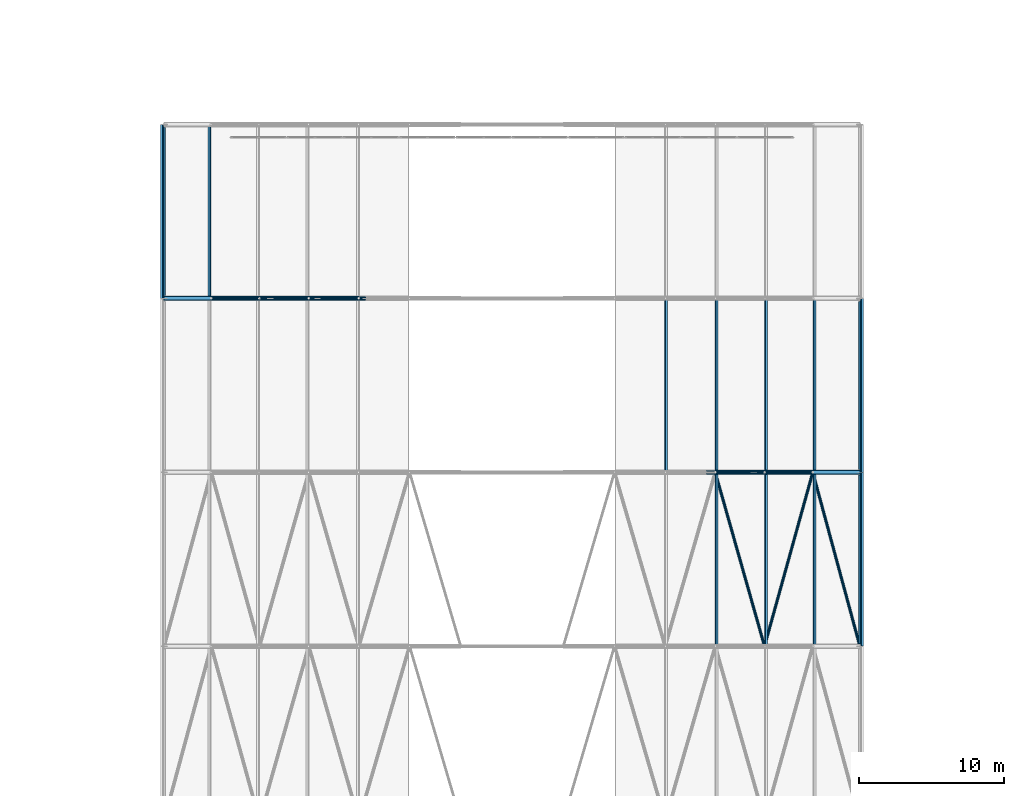
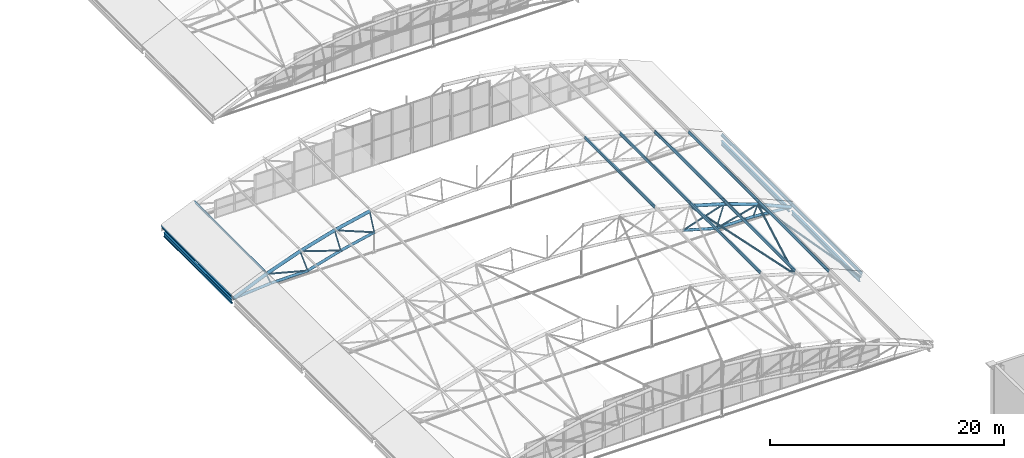
# One storey, part 132 of 321: 39 members, 3 beams.
"""IFC4 building model written with IfcOpenShell, lengths in metres."""

import ifcopenshell
import ifcopenshell.guid

model = None  # the IFC model being written
_history = None  # IfcOwnerHistory: only IFC2X3 demands one
_inside = {}  # id of a spatial element -> (the spatial element, [elements in it])
_under = {}  # id of a project, library or spatial element -> (it, [spatial elements below it])
_declared = {}  # id of a project -> (the project, [libraries it declares])
_typed = {}  # id of a type object -> (the type object, [elements of that type])
_made_of = {}  # id of a material, layer set ... -> (it, [elements and type objects made of it])


def new_model(schema):
    """Start an empty IFC model of exactly this schema.

    Asked for "IFC4X3", IfcOpenShell would pick the latest addendum, in which some entities
    have other attributes; the version numbers below select the first issue.
    IFC2X3 requires an IfcOwnerHistory on every rooted entity: one is made here for all.
    """
    global model, _history
    if schema == "IFC4X3":
        model = ifcopenshell.file(schema_version=(4, 3, 0, 0))
    else:
        model = ifcopenshell.file(schema=schema)
    _inside.clear()
    _under.clear()
    _declared.clear()
    _typed.clear()
    _made_of.clear()
    _history = None
    if model.schema == "IFC2X3":
        org = make("IfcOrganization", Name="unknown")
        user = make(
            "IfcPersonAndOrganization",
            ThePerson=make("IfcPerson", FamilyName="unknown"),
            TheOrganization=org,
        )
        app = make(
            "IfcApplication",
            ApplicationDeveloper=org,
            Version="unknown",
            ApplicationFullName="unknown",
            ApplicationIdentifier="unknown",
        )
        _history = make(
            "IfcOwnerHistory",
            OwningUser=user,
            OwningApplication=app,
            ChangeAction="ADDED",
            CreationDate=0,
        )
    return model


def make(cls, **values):
    """One entity of the class cls with the attributes given. An attribute that is None is left unset."""
    return model.create_entity(
        cls, **{name: value for name, value in values.items() if value is not None}
    )


def rooted(cls, **values):
    """An entity with a GlobalId (a new one), such as an element, a storey or a relation."""
    return make(cls, GlobalId=ifcopenshell.guid.new(), OwnerHistory=_history, **values)


def si_unit(unit_type, name, prefix=None):
    """IfcSIUnit, for example si_unit("LENGTHUNIT", "METRE", prefix="MILLI")."""
    return make("IfcSIUnit", UnitType=unit_type, Prefix=prefix, Name=name)


def assignment(units):
    """IfcUnitAssignment: the units of a project."""
    return None if units is None else make("IfcUnitAssignment", Units=units)


def point(xyz):
    """IfcCartesianPoint."""
    return None if xyz is None else make("IfcCartesianPoint", Coordinates=xyz)


def direction(xyz):
    """IfcDirection."""
    return None if xyz is None else make("IfcDirection", DirectionRatios=xyz)


def frame(location, z_axis=None, x_axis=None):
    """IfcAxis2Placement3D, a coordinate frame: its origin and axes. An axis left out is left unset."""
    return make(
        "IfcAxis2Placement3D",
        Location=point(location),
        Axis=direction(z_axis),
        RefDirection=direction(x_axis),
    )


def frame_2d(location, x_axis=None):
    """IfcAxis2Placement2D, a coordinate frame in the plane: its origin and x axis."""
    return make(
        "IfcAxis2Placement2D", Location=point(location), RefDirection=direction(x_axis)
    )


def origin():
    """The frame at (0, 0, 0) with its axes left unset."""
    return frame((0.0, 0.0, 0.0))


def origin_2d():
    """The frame at (0, 0) in the plane with its x axis left unset."""
    return frame_2d((0.0, 0.0))


def place(relative_to, where):
    """IfcLocalPlacement: puts the frame where relative to a parent placement (None: the world)."""
    return make(
        "IfcLocalPlacement", PlacementRelTo=relative_to, RelativePlacement=where
    )


def context(
    kind, dimensions, precision=None, world=None, true_north=None, identifier=None
):
    """IfcGeometricRepresentationContext, for example the 3D "Model" context."""
    return make(
        "IfcGeometricRepresentationContext",
        ContextIdentifier=identifier,
        ContextType=kind,
        CoordinateSpaceDimension=dimensions,
        Precision=precision,
        WorldCoordinateSystem=world,
        TrueNorth=true_north,
    )


def subcontext(parent, identifier, kind, view, scale=None):
    """IfcGeometricRepresentationSubContext, for example "Body" below "Model"."""
    return make(
        "IfcGeometricRepresentationSubContext",
        ContextIdentifier=identifier,
        ContextType=kind,
        ParentContext=parent,
        TargetScale=scale,
        TargetView=view,
    )


def project(units=None, contexts=None):
    """IfcProject with its units and contexts."""
    return rooted(
        "IfcProject",
        Name="project",
        RepresentationContexts=contexts,
        UnitsInContext=assignment(units),
    )


def spatial(cls, under=None, at=None, **own):
    """A site, building, storey or space (cls), placed at a placement, below another one or the project."""
    s = rooted(cls, ObjectPlacement=at, **own)
    if under is not None:
        _under.setdefault(under.id(), (under, []))[1].append(s)
    return s


def profile(cls, at=None, kind="AREA", **sizes):
    """A parametric profile (cls). Its sizes go by their IFC names, for example OverallWidth=200.0."""
    return make(cls, ProfileType=kind, Position=at, **sizes)


def hollow_circle(**sizes):
    """IfcCircleHollowProfileDef."""
    return profile("IfcCircleHollowProfileDef", **sizes)


def i_section(**sizes):
    """IfcIShapeProfileDef."""
    return profile("IfcIShapeProfileDef", **sizes)


def extrude(swept, where, along, depth):
    """IfcExtrudedAreaSolid: the profile swept, set in the frame where, extruded along a direction by depth."""
    return make(
        "IfcExtrudedAreaSolid",
        SweptArea=swept,
        Position=where,
        ExtrudedDirection=direction(along),
        Depth=depth,
    )


def shape(context_of_items, identifier, shape_type, items):
    """IfcShapeRepresentation: the items that make up one representation, for example the "Body"."""
    return make(
        "IfcShapeRepresentation",
        ContextOfItems=context_of_items,
        RepresentationIdentifier=identifier,
        RepresentationType=shape_type,
        Items=items,
    )


def material(Name=None, Category=None):
    """IfcMaterial."""
    return make("IfcMaterial", Name=Name, Category=Category)


def material_profile(
    of_material, cross_section, Name=None, Category=None, Priority=None
):
    """IfcMaterialProfile: a cross section and its material."""
    return make(
        "IfcMaterialProfile",
        Name=Name,
        Material=of_material,
        Profile=cross_section,
        Priority=Priority,
        Category=Category,
    )


def profile_set(profiles, Name=None, composite=None):
    """IfcMaterialProfileSet."""
    return make(
        "IfcMaterialProfileSet",
        Name=Name,
        MaterialProfiles=profiles,
        CompositeProfile=composite,
    )


def made_of(thing, what):
    """Note that an element or type object is made of a material, layer set ...; save() writes the relation."""
    if what is not None:
        _made_of.setdefault(what.id(), (what, []))[1].append(thing)
    return thing


def type_object(cls, material=None, **own):
    """A type object (cls), such as IfcWallType, which elements share."""
    return made_of(rooted(cls, **own), material)


def element(
    cls,
    number,
    at=None,
    inside=None,
    cuts=None,
    type_object=None,
    material=None,
    context=None,
    identifier="Body",
    shape_type=None,
    held_by="IfcProductDefinitionShape",
    body=None,
    shapes=None,
    **own,
):
    """One element of the class cls, such as IfcWall. Its Tag is "e" and its number.

    at: its placement. inside: the storey or other place that contains it. cuts: it is an
    opening in that element (IfcRelVoidsElement). A single representation is given by context,
    identifier, shape_type and body (its items); several are given by shapes. held_by: the class
    of the entity that holds the representations. save() writes the other relations.
    """
    e = rooted(cls, Tag="e%d" % number, ObjectPlacement=at, **own)
    if body is not None:
        shapes = [shape(context, identifier, shape_type, body)]
    if shapes is not None:
        e.Representation = make(held_by, Representations=shapes)
    if inside is not None:
        _inside.setdefault(inside.id(), (inside, []))[1].append(e)
    if cuts is not None:
        rooted(
            "IfcRelVoidsElement", RelatingBuildingElement=cuts, RelatedOpeningElement=e
        )
    if type_object is not None:
        _typed.setdefault(type_object.id(), (type_object, []))[1].append(e)
    return made_of(e, material)


def aggregate(whole, parts):
    """IfcRelAggregates: a whole, such as a stair, and the parts it consists of."""
    return rooted("IfcRelAggregates", RelatingObject=whole, RelatedObjects=parts)


def save(model, path):
    """Write the relations noted so far, then the file.

    IfcRelAggregates (storeys below a building ...), IfcRelContainedInSpatialStructure (elements
    in a storey), IfcRelDefinesByType, IfcRelAssociatesMaterial and IfcRelDeclares: one each for
    every whole, place, type object, material and project.
    """
    for whole, parts in _under.values():
        aggregate(whole, parts)
    for where, things in _inside.values():
        rooted(
            "IfcRelContainedInSpatialStructure",
            RelatedElements=things,
            RelatingStructure=where,
        )
    for kind, things in _typed.values():
        rooted("IfcRelDefinesByType", RelatedObjects=things, RelatingType=kind)
    for what, things in _made_of.values():
        rooted("IfcRelAssociatesMaterial", RelatedObjects=things, RelatingMaterial=what)
    for by, libraries in _declared.values():
        rooted("IfcRelDeclares", RelatingContext=by, RelatedDefinitions=libraries)
    model.write(path)


model = new_model("IFC4")

# Units and contexts
model_context = context("Model", 3, precision=1e-05, world=origin(), true_north=direction((0.0, 1.0)))
body_context = subcontext(model_context, "Body", "Model", "MODEL_VIEW")
ifc_project = project(units=[si_unit("LENGTHUNIT", "METRE"), si_unit("AREAUNIT", "SQUARE_METRE"), si_unit("VOLUMEUNIT", "CUBIC_METRE"), si_unit("PLANEANGLEUNIT", "RADIAN"), si_unit("MASSUNIT", "GRAM", prefix="KILO")], contexts=[model_context])

# Site, building, storey
site_placement = place(None, origin())
site = spatial("IfcSite", under=ifc_project, at=site_placement, CompositionType="ELEMENT")
building_placement = place(site_placement, origin())
building = spatial("IfcBuilding", under=site, at=building_placement, Name="Ravi Spectrum Wholesale Market", CompositionType="ELEMENT")
storey_placement = place(building_placement, frame((0.0, 0.0, 10.800048828125)))
storey = spatial("IfcBuildingStorey", under=building, at=storey_placement, Name="L02", CompositionType="ELEMENT", Elevation=10.800048828125)

# Members
ifc_material_1 = material(Name="Steel S355", Category="steel")
ifc_material_profile_1 = material_profile(ifc_material_1, hollow_circle(Radius=0.06982421875, WallThickness=0.0048828125, at=origin_2d()))
ifc_profile_set_1 = profile_set([ifc_material_profile_1], Name="Steel S355")
member_type_1 = type_object("IfcMemberType", Name="CHS 139.7x5 post", PredefinedType="POST", material=ifc_profile_set_1)
member_1_placement = place(storey_placement, frame((191.422119140625, 102.0, 2.62255859375), z_axis=(-0.310973905747, 0.0, -0.950418449918), x_axis=(0.0, -1.0, 0.0)))
element("IfcMember", 1, at=member_1_placement, inside=storey, type_object=member_type_1, Name="H2-MB-L02-152", PredefinedType="POST", context=body_context, shape_type="SweptSolid", body=[
    extrude(hollow_circle(Radius=0.06982421875, WallThickness=0.0048828125, at=origin_2d()), origin(), (0.0, 0.0, 1.0), 2.39990234375),
])
for number, where, z_axis, x_axis, name in (
    (2, (194.75244140625, 102.0, 1.415283203125), (-0.370337942638, 0.0, -0.928897092386), (0.0, -1.0, 0.0), "H2-MB-L02-153"),
    (3, (153.24755859375, 114.0, 1.415283203125), (0.370337942638, 0.0, -0.928897092386), (0.0, 1.0, 0.0), "H2-MB-L02-197"),
):
    element("IfcMember", number, at=place(storey_placement, frame(where, z_axis=z_axis, x_axis=x_axis)), inside=storey, type_object=member_type_1, Name=name, PredefinedType="POST", context=body_context, shape_type="SweptSolid", body=[
        extrude(hollow_circle(Radius=0.06982421875, WallThickness=0.0048828125, at=origin_2d()), origin(), (0.0, 0.0, 1.0), 1.19970703125),
    ])
member_2_placement = place(storey_placement, frame((156.577880859375, 114.0, 2.62255859375), z_axis=(0.310973905747, 0.0, -0.950418449918), x_axis=(0.0, 1.0, 0.0)))
element("IfcMember", 4, at=member_2_placement, inside=storey, type_object=member_type_1, Name="H2-MB-L02-198", PredefinedType="POST", context=body_context, shape_type="SweptSolid", body=[
    extrude(hollow_circle(Radius=0.06982421875, WallThickness=0.0048828125, at=origin_2d()), origin(), (0.0, 0.0, 1.0), 2.39990234375),
])
member_3_placement = place(storey_placement, frame((159.97802734375, 114.0, 3.6171875), z_axis=(0.250234870817, 0.0, -0.96818516278), x_axis=(0.0, 1.0, 0.0)))
element("IfcMember", 5, at=member_3_placement, inside=storey, type_object=member_type_1, Name="H2-MB-L02-199", PredefinedType="POST", context=body_context, shape_type="SweptSolid", body=[
    extrude(hollow_circle(Radius=0.06982421875, WallThickness=0.0048828125, at=origin_2d()), origin(), (0.0, 0.0, 1.0), 2.400146484375),
])
member_4_placement = place(storey_placement, frame((163.434326171875, 114.0, 4.394775390625), z_axis=(0.188500261805, 0.0, -0.982073139486), x_axis=(0.0, 1.0, 0.0)))
element("IfcMember", 6, at=member_4_placement, inside=storey, type_object=member_type_1, Name="H2-MB-L02-200", PredefinedType="POST", context=body_context, shape_type="SweptSolid", body=[
    extrude(hollow_circle(Radius=0.06982421875, WallThickness=0.0048828125, at=origin_2d()), origin(), (0.0, 0.0, 1.0), 2.39990234375),
])
ifc_material_2 = material(Name="Steel S355", Category="steel")
ifc_material_profile_2 = material_profile(ifc_material_2, hollow_circle(Radius=0.084228515625, WallThickness=0.00634765625, at=origin_2d()))
ifc_profile_set_2 = profile_set([ifc_material_profile_2], Name="Steel S355")
member_type_2 = type_object("IfcMemberType", Name="CHS 168.3x6.3 brace", PredefinedType="BRACE", material=ifc_profile_set_2)
member_5_placement = place(storey_placement, frame((191.422119140625, 102.0, 2.62255859375), z_axis=(-0.949001331945, 0.0, -0.315272060237), x_axis=(0.0, -1.0, 0.0)))
element("IfcMember", 7, at=member_5_placement, inside=storey, type_object=member_type_2, Name="H2-MB-L02-164", PredefinedType="BRACE", context=body_context, shape_type="SweptSolid", body=[
    extrude(hollow_circle(Radius=0.084228515625, WallThickness=0.00634765625, at=origin_2d()), origin(), (0.0, 0.0, 1.0), 4.2158203125),
])
for number, where, z_axis, x_axis, name in (
    (8, (194.75244140625, 102.0, 1.415283203125), (-0.96702050396, 0.0, -0.254698537335), (0.0, -1.0, 0.0), "H2-MB-L02-165"),
    (9, (153.24755859375, 114.0, 1.415283203125), (0.96702050396, 0.0, -0.254698537335), (0.0, 1.0, 0.0), "H2-MB-L02-210"),
):
    element("IfcMember", number, at=place(storey_placement, frame(where, z_axis=z_axis, x_axis=x_axis)), inside=storey, type_object=member_type_2, Name=name, PredefinedType="BRACE", context=body_context, shape_type="SweptSolid", body=[
        extrude(hollow_circle(Radius=0.084228515625, WallThickness=0.00634765625, at=origin_2d()), origin(), (0.0, 0.0, 1.0), 4.215576171875),
    ])
for number, where, z_axis, x_axis, name in (
    (10, (156.577880859375, 114.0, 2.62255859375), (0.949001331945, 0.0, -0.315272060237), (0.0, 1.0, 0.0), "H2-MB-L02-211"),
    (11, (159.97802734375, 114.0, 3.6171875), (0.927172989808, 0.0, -0.374633483515), (0.0, 1.0, 0.0), "H2-MB-L02-212"),
):
    element("IfcMember", number, at=place(storey_placement, frame(where, z_axis=z_axis, x_axis=x_axis)), inside=storey, type_object=member_type_2, Name=name, PredefinedType="BRACE", context=body_context, shape_type="SweptSolid", body=[
        extrude(hollow_circle(Radius=0.084228515625, WallThickness=0.00634765625, at=origin_2d()), origin(), (0.0, 0.0, 1.0), 4.2158203125),
    ])
ifc_material_3 = material(Name="Steel S355", Category="steel")
ifc_material_profile_3 = material_profile(ifc_material_3, hollow_circle(Radius=0.096923828125, WallThickness=0.00634765625, at=origin_2d()))
ifc_profile_set_3 = profile_set([ifc_material_profile_3], Name="Steel S355")
member_type_3 = type_object("IfcMemberType", Name="CHS 193.7x6.3 brace", PredefinedType="BRACE", material=ifc_profile_set_3)
for number, where, z_axis, x_axis, name in (
    (12, (188.02197265625, 102.0, 3.6171875), (0.271750717497, -0.959078858792, -0.079493963027), (0.962123645882, 0.27261344434, 0.0), "H2-MB-L02-366"),
    (13, (191.422119140625, 90.0, 2.62255859375), (0.266171604167, 0.959084135183, -0.096489889495), (-0.963580234601, 0.267419392501, 0.0), "H2-MB-L02-367"),
    (14, (194.75244140625, 102.0, 1.415283203125), (0.259555912647, -0.959080756158, -0.113114240386), (0.965275907669, 0.261232505774, 0.0), "H2-MB-L02-368"),
):
    element("IfcMember", number, at=place(storey_placement, frame(where, z_axis=z_axis, x_axis=x_axis)), inside=storey, type_object=member_type_3, Name=name, PredefinedType="BRACE", context=body_context, shape_type="SweptSolid", body=[
        extrude(hollow_circle(Radius=0.096923828125, WallThickness=0.00634765625, at=origin_2d()), origin(), (0.0, 0.0, 1.0), 12.511962890625),
    ])
ifc_material_4 = material(Name="Steel S355", Category="steel")
ifc_material_profile_4 = material_profile(ifc_material_4, hollow_circle(Radius=0.136474609375, WallThickness=0.010009765625, at=origin_2d()))
ifc_profile_set_4 = profile_set([ifc_material_profile_4], Name="Steel S355")
member_type_4 = type_object("IfcMemberType", Name="CHS 273x10 chord", PredefinedType="CHORD", material=ifc_profile_set_4)
member_6_placement = place(storey_placement, frame((187.42138671875, 102.0, 1.29345703125), z_axis=(0.959785210249, 0.0, -0.280735373951), x_axis=(0.0, 1.0, 0.0)))
element("IfcMember", 15, at=member_6_placement, inside=storey, type_object=member_type_4, Name="H2-MB-L02-138", PredefinedType="CHORD", context=body_context, shape_type="SweptSolid", body=[
    extrude(hollow_circle(Radius=0.136474609375, WallThickness=0.010009765625, at=origin_2d()), origin(), (0.0, 0.0, 1.0), 3.390869140625),
])
member_7_placement = place(storey_placement, frame((190.67578125, 102.0, 0.341552734375), z_axis=(0.999937009827, 0.0, -0.011223919925), x_axis=(0.0, 1.0, 0.0)))
element("IfcMember", 16, at=member_7_placement, inside=storey, type_object=member_type_4, Name="H2-MB-L02-139", PredefinedType="CHORD", context=body_context, shape_type="SweptSolid", body=[
    extrude(hollow_circle(Radius=0.136474609375, WallThickness=0.010009765625, at=origin_2d()), origin(), (0.0, 0.0, 1.0), 3.632568359375),
])
for number, where, z_axis, x_axis, name in (
    (17, (194.30810546875, 102.0, 0.30078125), (0.996697692296, 0.0, -0.081201663597), (0.0, 1.0, 0.0), "H2-MB-L02-140"),
    (18, (150.0, 114.0, 0.0), (0.996697692296, 0.0, 0.081201663597), (0.0, 1.0, 0.0), "H2-MB-L02-183"),
):
    element("IfcMember", number, at=place(storey_placement, frame(where, z_axis=z_axis, x_axis=x_axis)), inside=storey, type_object=member_type_4, Name=name, PredefinedType="CHORD", context=body_context, shape_type="SweptSolid", body=[
        extrude(hollow_circle(Radius=0.136474609375, WallThickness=0.010009765625, at=origin_2d()), origin(), (0.0, 0.0, 1.0), 3.7041015625),
    ])
member_8_placement = place(storey_placement, frame((153.69189453125, 114.0, 0.30078125), z_axis=(0.999937009827, 0.0, 0.011223919925), x_axis=(0.0, 1.0, 0.0)))
element("IfcMember", 19, at=member_8_placement, inside=storey, type_object=member_type_4, Name="H2-MB-L02-184", PredefinedType="CHORD", context=body_context, shape_type="SweptSolid", body=[
    extrude(hollow_circle(Radius=0.136474609375, WallThickness=0.010009765625, at=origin_2d()), origin(), (0.0, 0.0, 1.0), 3.632568359375),
])
for number, where, z_axis, x_axis, name in (
    (20, (157.32421875, 114.0, 0.341552734375), (0.959785210249, 0.0, 0.280735373951), (0.0, 1.0, 0.0), "H2-MB-L02-185"),
    (21, (160.57861328125, 114.0, 1.29345703125), (0.975605901076, 0.0, 0.219529327851), (0.0, 1.0, 0.0), "H2-MB-L02-186"),
):
    element("IfcMember", number, at=place(storey_placement, frame(where, z_axis=z_axis, x_axis=x_axis)), inside=storey, type_object=member_type_4, Name=name, PredefinedType="CHORD", context=body_context, shape_type="SweptSolid", body=[
        extrude(hollow_circle(Radius=0.136474609375, WallThickness=0.010009765625, at=origin_2d()), origin(), (0.0, 0.0, 1.0), 3.390869140625),
    ])
ifc_material_5 = material(Name="Steel S355", Category="steel")
ifc_material_profile_5 = material_profile(ifc_material_5, hollow_circle(Radius=0.161865234375, WallThickness=0.010009765625, at=origin_2d()))
ifc_profile_set_5 = profile_set([ifc_material_profile_5], Name="Steel S355")
member_type_5 = type_object("IfcMemberType", Name="CHS 323.9x10 chord", PredefinedType="CHORD", material=ifc_profile_set_5)
member_9_placement = place(storey_placement, frame((188.02197265625, 102.0, 3.6171875), z_axis=(0.959778179425, 0.0, -0.280759409993), x_axis=(0.0, 1.0, 0.0)))
element("IfcMember", 22, at=member_9_placement, inside=storey, type_object=member_type_5, Name="H2-MB-L02-124", PredefinedType="CHORD", context=body_context, shape_type="SweptSolid", body=[
    extrude(hollow_circle(Radius=0.161865234375, WallThickness=0.010009765625, at=origin_2d()), origin(), (0.0, 0.0, 1.0), 3.542724609375),
])
for number, where, z_axis, x_axis, name in (
    (23, (191.422119140625, 102.0, 2.62255859375), (0.940133028891, 0.0, -0.340807699426), (0.0, 1.0, 0.0), "H2-MB-L02-125"),
    (24, (194.75244140625, 102.0, 1.415283203125), (0.916728973025, 0.0, -0.399509687012), (0.0, 1.0, 0.0), "H2-MB-L02-126"),
    (25, (150.0, 114.0, 0.0), (0.916728973025, 0.0, 0.399509687012), (0.0, 1.0, 0.0), "H2-MB-L02-169"),
    (26, (153.24755859375, 114.0, 1.415283203125), (0.940133028891, 0.0, 0.340807699426), (0.0, 1.0, 0.0), "H2-MB-L02-170"),
):
    element("IfcMember", number, at=place(storey_placement, frame(where, z_axis=z_axis, x_axis=x_axis)), inside=storey, type_object=member_type_5, Name=name, PredefinedType="CHORD", context=body_context, shape_type="SweptSolid", body=[
        extrude(hollow_circle(Radius=0.161865234375, WallThickness=0.010009765625, at=origin_2d()), origin(), (0.0, 0.0, 1.0), 3.54248046875),
    ])
for number, where, z_axis, x_axis, name in (
    (27, (156.577880859375, 114.0, 2.62255859375), (0.959778179425, 0.0, 0.280759409993), (0.0, 1.0, 0.0), "H2-MB-L02-171"),
    (28, (159.97802734375, 114.0, 3.6171875), (0.975614552373, 0.0, 0.219490877256), (0.0, 1.0, 0.0), "H2-MB-L02-172"),
):
    element("IfcMember", number, at=place(storey_placement, frame(where, z_axis=z_axis, x_axis=x_axis)), inside=storey, type_object=member_type_5, Name=name, PredefinedType="CHORD", context=body_context, shape_type="SweptSolid", body=[
        extrude(hollow_circle(Radius=0.161865234375, WallThickness=0.010009765625, at=origin_2d()), origin(), (0.0, 0.0, 1.0), 3.542724609375),
    ])
ifc_material_6 = material(Name="Steel S355", Category="steel")
ifc_material_profile_6 = material_profile(ifc_material_6, i_section(OverallWidth=0.135009765625, OverallDepth=0.27001953125, WebThickness=0.006591796875, FlangeThickness=0.01025390625, at=origin_2d()))
ifc_profile_set_6 = profile_set([ifc_material_profile_6], Name="Steel S355")
member_type_6 = type_object("IfcMemberType", Name="IPE 270 purlin", PredefinedType="PURLIN", material=ifc_profile_set_6)
for number, where, z_axis, x_axis, name in (
    (29, (188.09619140625, 90.0, 3.904541015625), (0.0, 1.0, 0.0), (-0.968183171472, 0.0, 0.250242575271), "H2-MB-L02-307"),
    (30, (191.514404296875, 90.0, 2.90478515625), (0.0, 1.0, 0.0), (-0.950435264979, 0.0, 0.310922509774), "H2-MB-L02-308"),
    (31, (194.862548828125, 90.0, 1.691162109375), (0.0, 1.0, 0.0), (-0.928888434673, 0.0, 0.370359657536), "H2-MB-L02-309"),
    (32, (198.127197265625, 90.0, 0.268310546875), (0.0, 1.0, 0.0), (-0.903628792263, 0.0, 0.428316478545), "H2-MB-L02-310"),
    (33, (184.621826171875, 102.0, 4.6865234375), (0.0, 1.0, 0.0), (-0.982061208549, 0.0, 0.188562410526), "H2-MB-L02-321"),
    (34, (188.09619140625, 102.0, 3.904541015625), (0.0, 1.0, 0.0), (-0.968183171472, 0.0, 0.250242575271), "H2-MB-L02-322"),
    (35, (191.514404296875, 102.0, 2.90478515625), (0.0, 1.0, 0.0), (-0.950435264979, 0.0, 0.310922509774), "H2-MB-L02-323"),
    (36, (194.862548828125, 102.0, 1.691162109375), (0.0, 1.0, 0.0), (-0.928888434673, 0.0, 0.370359657536), "H2-MB-L02-324"),
    (37, (198.127197265625, 102.0, 0.268310546875), (0.0, 1.0, 0.0), (-0.903628792263, 0.0, 0.428316478545), "H2-MB-L02-325"),
    (38, (149.872802734375, 114.0, 0.268310546875), (0.0, 1.0, 0.0), (-0.903628792263, 0.0, -0.428316478545), "H2-MB-L02-326"),
    (39, (153.137451171875, 114.0, 1.691162109375), (0.0, 1.0, 0.0), (-0.928888434673, 0.0, -0.370359657536), "H2-MB-L02-327"),
):
    element("IfcMember", number, at=place(storey_placement, frame(where, z_axis=z_axis, x_axis=x_axis)), inside=storey, type_object=member_type_6, Name=name, PredefinedType="PURLIN", context=body_context, shape_type="SweptSolid", body=[
        extrude(i_section(OverallWidth=0.135009765625, OverallDepth=0.27001953125, WebThickness=0.006591796875, FlangeThickness=0.01025390625, at=origin_2d()), origin(), (0.0, 0.0, 1.0), 12.0),
    ])

# Beams
ifc_material_7 = material(Name="Steel S355", Category="steel")
ifc_material_profile_7 = material_profile(ifc_material_7, i_section(OverallWidth=0.18994140625, OverallDepth=0.449951171875, WebThickness=0.009521484375, FlangeThickness=0.0146484375, at=origin_2d()))
ifc_profile_set_7 = profile_set([ifc_material_profile_7], Name="Steel S355")
beam_type = type_object("IfcBeamType", Name="IPE 450 girder", PredefinedType="BEAM", material=ifc_profile_set_7)
for number, where, z_axis, x_axis, name in (
    (40, (150.0, 114.203125, -0.425048828125), (0.0, 1.0, 0.0), (-1.0, 0.0, 0.0), "H2-BM-L02-004"),
    (41, (198.0, 90.203125, -0.425048828125), (0.0, 1.0, 0.0), (-1.0, 0.0, 0.0), "H2-BM-L02-006"),
    (42, (198.0, 102.203125, -0.425048828125), (0.0, 1.0, 0.0), (-1.0, 0.0, 0.0), "H2-BM-L02-007"),
):
    element("IfcBeam", number, at=place(storey_placement, frame(where, z_axis=z_axis, x_axis=x_axis)), inside=storey, type_object=beam_type, Name=name, PredefinedType="BEAM", context=body_context, shape_type="SweptSolid", body=[
        extrude(i_section(OverallWidth=0.18994140625, OverallDepth=0.449951171875, WebThickness=0.009521484375, FlangeThickness=0.0146484375, at=origin_2d()), origin(), (0.0, 0.0, 1.0), 11.59375),
    ])

save(model, "model.ifc")
